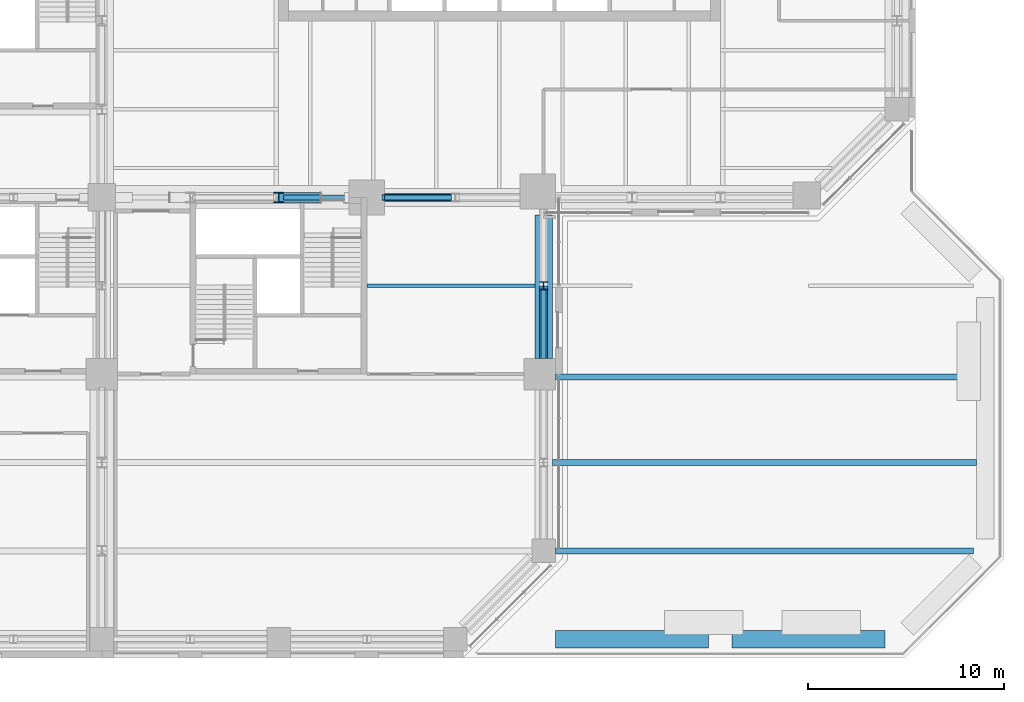
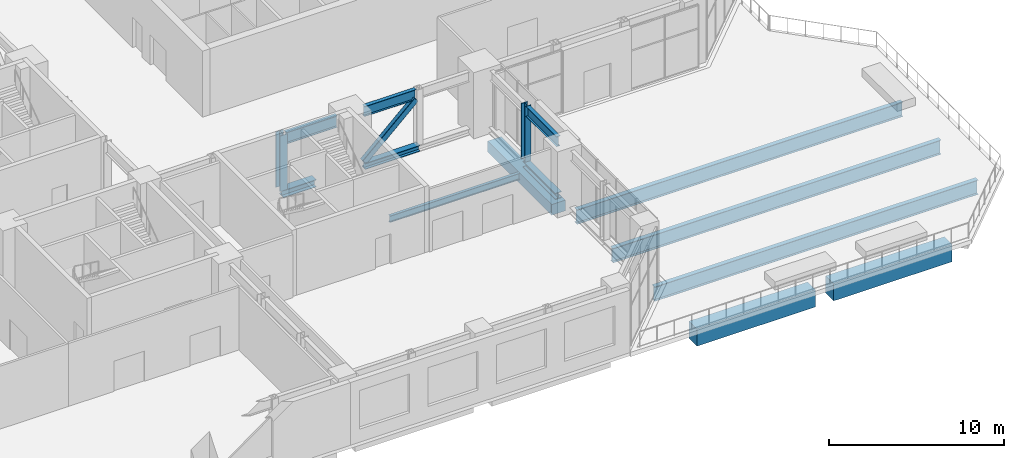
# One storey, part 5 of 21: 10 beams, 6 members.
"""IFC4 building model written with IfcOpenShell, lengths in metres."""

import ifcopenshell
import ifcopenshell.guid

model = None  # the IFC model being written
_history = None  # IfcOwnerHistory: only IFC2X3 demands one
_inside = {}  # id of a spatial element -> (the spatial element, [elements in it])
_under = {}  # id of a project, library or spatial element -> (it, [spatial elements below it])
_declared = {}  # id of a project -> (the project, [libraries it declares])
_typed = {}  # id of a type object -> (the type object, [elements of that type])
_made_of = {}  # id of a material, layer set ... -> (it, [elements and type objects made of it])


def new_model(schema):
    """Start an empty IFC model of exactly this schema.

    Asked for "IFC4X3", IfcOpenShell would pick the latest addendum, in which some entities
    have other attributes; the version numbers below select the first issue.
    IFC2X3 requires an IfcOwnerHistory on every rooted entity: one is made here for all.
    """
    global model, _history
    if schema == "IFC4X3":
        model = ifcopenshell.file(schema_version=(4, 3, 0, 0))
    else:
        model = ifcopenshell.file(schema=schema)
    _inside.clear()
    _under.clear()
    _declared.clear()
    _typed.clear()
    _made_of.clear()
    _history = None
    if model.schema == "IFC2X3":
        org = make("IfcOrganization", Name="unknown")
        user = make(
            "IfcPersonAndOrganization",
            ThePerson=make("IfcPerson", FamilyName="unknown"),
            TheOrganization=org,
        )
        app = make(
            "IfcApplication",
            ApplicationDeveloper=org,
            Version="unknown",
            ApplicationFullName="unknown",
            ApplicationIdentifier="unknown",
        )
        _history = make(
            "IfcOwnerHistory",
            OwningUser=user,
            OwningApplication=app,
            ChangeAction="ADDED",
            CreationDate=0,
        )
    return model


def make(cls, **values):
    """One entity of the class cls with the attributes given. An attribute that is None is left unset."""
    return model.create_entity(
        cls, **{name: value for name, value in values.items() if value is not None}
    )


def rooted(cls, **values):
    """An entity with a GlobalId (a new one), such as an element, a storey or a relation."""
    return make(cls, GlobalId=ifcopenshell.guid.new(), OwnerHistory=_history, **values)


def si_unit(unit_type, name, prefix=None):
    """IfcSIUnit, for example si_unit("LENGTHUNIT", "METRE", prefix="MILLI")."""
    return make("IfcSIUnit", UnitType=unit_type, Prefix=prefix, Name=name)


def assignment(units):
    """IfcUnitAssignment: the units of a project."""
    return None if units is None else make("IfcUnitAssignment", Units=units)


def point(xyz):
    """IfcCartesianPoint."""
    return None if xyz is None else make("IfcCartesianPoint", Coordinates=xyz)


def direction(xyz):
    """IfcDirection."""
    return None if xyz is None else make("IfcDirection", DirectionRatios=xyz)


def frame(location, z_axis=None, x_axis=None):
    """IfcAxis2Placement3D, a coordinate frame: its origin and axes. An axis left out is left unset."""
    return make(
        "IfcAxis2Placement3D",
        Location=point(location),
        Axis=direction(z_axis),
        RefDirection=direction(x_axis),
    )


def frame_2d(location, x_axis=None):
    """IfcAxis2Placement2D, a coordinate frame in the plane: its origin and x axis."""
    return make(
        "IfcAxis2Placement2D", Location=point(location), RefDirection=direction(x_axis)
    )


def origin():
    """The frame at (0, 0, 0) with its axes left unset."""
    return frame((0.0, 0.0, 0.0))


def origin_2d():
    """The frame at (0, 0) in the plane with its x axis left unset."""
    return frame_2d((0.0, 0.0))


def place(relative_to, where):
    """IfcLocalPlacement: puts the frame where relative to a parent placement (None: the world)."""
    return make(
        "IfcLocalPlacement", PlacementRelTo=relative_to, RelativePlacement=where
    )


def context(
    kind, dimensions, precision=None, world=None, true_north=None, identifier=None
):
    """IfcGeometricRepresentationContext, for example the 3D "Model" context."""
    return make(
        "IfcGeometricRepresentationContext",
        ContextIdentifier=identifier,
        ContextType=kind,
        CoordinateSpaceDimension=dimensions,
        Precision=precision,
        WorldCoordinateSystem=world,
        TrueNorth=true_north,
    )


def subcontext(parent, identifier, kind, view, scale=None):
    """IfcGeometricRepresentationSubContext, for example "Body" below "Model"."""
    return make(
        "IfcGeometricRepresentationSubContext",
        ContextIdentifier=identifier,
        ContextType=kind,
        ParentContext=parent,
        TargetScale=scale,
        TargetView=view,
    )


def project(units=None, contexts=None):
    """IfcProject with its units and contexts."""
    return rooted(
        "IfcProject",
        Name="project",
        RepresentationContexts=contexts,
        UnitsInContext=assignment(units),
    )


def spatial(cls, under=None, at=None, **own):
    """A site, building, storey or space (cls), placed at a placement, below another one or the project."""
    s = rooted(cls, ObjectPlacement=at, **own)
    if under is not None:
        _under.setdefault(under.id(), (under, []))[1].append(s)
    return s


def profile(cls, at=None, kind="AREA", **sizes):
    """A parametric profile (cls). Its sizes go by their IFC names, for example OverallWidth=200.0."""
    return make(cls, ProfileType=kind, Position=at, **sizes)


def rectangle(**sizes):
    """IfcRectangleProfileDef."""
    return profile("IfcRectangleProfileDef", **sizes)


def hollow_rectangle(**sizes):
    """IfcRectangleHollowProfileDef."""
    return profile("IfcRectangleHollowProfileDef", **sizes)


def i_section(**sizes):
    """IfcIShapeProfileDef."""
    return profile("IfcIShapeProfileDef", **sizes)


def extrude(swept, where, along, depth):
    """IfcExtrudedAreaSolid: the profile swept, set in the frame where, extruded along a direction by depth."""
    return make(
        "IfcExtrudedAreaSolid",
        SweptArea=swept,
        Position=where,
        ExtrudedDirection=direction(along),
        Depth=depth,
    )


def shape(context_of_items, identifier, shape_type, items):
    """IfcShapeRepresentation: the items that make up one representation, for example the "Body"."""
    return make(
        "IfcShapeRepresentation",
        ContextOfItems=context_of_items,
        RepresentationIdentifier=identifier,
        RepresentationType=shape_type,
        Items=items,
    )


def material(Name=None, Category=None):
    """IfcMaterial."""
    return make("IfcMaterial", Name=Name, Category=Category)


def material_profile(
    of_material, cross_section, Name=None, Category=None, Priority=None
):
    """IfcMaterialProfile: a cross section and its material."""
    return make(
        "IfcMaterialProfile",
        Name=Name,
        Material=of_material,
        Profile=cross_section,
        Priority=Priority,
        Category=Category,
    )


def profile_set(profiles, Name=None, composite=None):
    """IfcMaterialProfileSet."""
    return make(
        "IfcMaterialProfileSet",
        Name=Name,
        MaterialProfiles=profiles,
        CompositeProfile=composite,
    )


def made_of(thing, what):
    """Note that an element or type object is made of a material, layer set ...; save() writes the relation."""
    if what is not None:
        _made_of.setdefault(what.id(), (what, []))[1].append(thing)
    return thing


def type_object(cls, material=None, **own):
    """A type object (cls), such as IfcWallType, which elements share."""
    return made_of(rooted(cls, **own), material)


def element(
    cls,
    number,
    at=None,
    inside=None,
    cuts=None,
    type_object=None,
    material=None,
    context=None,
    identifier="Body",
    shape_type=None,
    held_by="IfcProductDefinitionShape",
    body=None,
    shapes=None,
    **own,
):
    """One element of the class cls, such as IfcWall. Its Tag is "e" and its number.

    at: its placement. inside: the storey or other place that contains it. cuts: it is an
    opening in that element (IfcRelVoidsElement). A single representation is given by context,
    identifier, shape_type and body (its items); several are given by shapes. held_by: the class
    of the entity that holds the representations. save() writes the other relations.
    """
    e = rooted(cls, Tag="e%d" % number, ObjectPlacement=at, **own)
    if body is not None:
        shapes = [shape(context, identifier, shape_type, body)]
    if shapes is not None:
        e.Representation = make(held_by, Representations=shapes)
    if inside is not None:
        _inside.setdefault(inside.id(), (inside, []))[1].append(e)
    if cuts is not None:
        rooted(
            "IfcRelVoidsElement", RelatingBuildingElement=cuts, RelatedOpeningElement=e
        )
    if type_object is not None:
        _typed.setdefault(type_object.id(), (type_object, []))[1].append(e)
    return made_of(e, material)


def aggregate(whole, parts):
    """IfcRelAggregates: a whole, such as a stair, and the parts it consists of."""
    return rooted("IfcRelAggregates", RelatingObject=whole, RelatedObjects=parts)


def save(model, path):
    """Write the relations noted so far, then the file.

    IfcRelAggregates (storeys below a building ...), IfcRelContainedInSpatialStructure (elements
    in a storey), IfcRelDefinesByType, IfcRelAssociatesMaterial and IfcRelDeclares: one each for
    every whole, place, type object, material and project.
    """
    for whole, parts in _under.values():
        aggregate(whole, parts)
    for where, things in _inside.values():
        rooted(
            "IfcRelContainedInSpatialStructure",
            RelatedElements=things,
            RelatingStructure=where,
        )
    for kind, things in _typed.values():
        rooted("IfcRelDefinesByType", RelatedObjects=things, RelatingType=kind)
    for what, things in _made_of.values():
        rooted("IfcRelAssociatesMaterial", RelatedObjects=things, RelatingMaterial=what)
    for by, libraries in _declared.values():
        rooted("IfcRelDeclares", RelatingContext=by, RelatedDefinitions=libraries)
    model.write(path)


model = new_model("IFC4")

# Units and contexts
model_context = context("Model", 3, precision=1e-05, world=origin(), true_north=direction((0.0, 1.0)))
body_context = subcontext(model_context, "Body", "Model", "MODEL_VIEW")
ifc_project = project(units=[si_unit("LENGTHUNIT", "METRE"), si_unit("AREAUNIT", "SQUARE_METRE"), si_unit("VOLUMEUNIT", "CUBIC_METRE"), si_unit("PLANEANGLEUNIT", "RADIAN"), si_unit("MASSUNIT", "GRAM", prefix="KILO")], contexts=[model_context])

# Site, building, storey
site_placement = place(None, origin())
site = spatial("IfcSite", under=ifc_project, at=site_placement, CompositionType="ELEMENT")
building_placement = place(site_placement, origin())
building = spatial("IfcBuilding", under=site, at=building_placement, Name="Quoin Convention Tower", CompositionType="ELEMENT")
storey_placement = place(building_placement, frame((0.0, 0.0, 18.5)))
storey = spatial("IfcBuildingStorey", under=building, at=storey_placement, Name="L03", CompositionType="ELEMENT", Elevation=18.5)

# Beams
ifc_material_1 = material(Name="Steel Grade 300", Category="steel")
ifc_material_profile_1 = material_profile(ifc_material_1, i_section(OverallWidth=0.300048828125, OverallDepth=1.0, WebThickness=0.01611328125, FlangeThickness=0.02001953125, at=origin_2d()), Name="1000WB215")
ifc_profile_set_1 = profile_set([ifc_material_profile_1], Name="Steel Grade 300")
beam_type_1 = type_object("IfcBeamType", Name="1000WB215", PredefinedType="BEAM", material=ifc_profile_set_1)
beam_1_placement = place(storey_placement, frame((59.10009765625, 22.5, -0.800048828125), z_axis=(1.0, 0.0, 0.0), x_axis=(0.0, 1.0, 0.0)))
element("IfcBeam", 1, at=beam_1_placement, inside=storey, type_object=beam_type_1, Name="gir-L03-RT5-1-0", PredefinedType="BEAM", context=body_context, shape_type="SweptSolid", body=[
    extrude(i_section(OverallWidth=0.300048828125, OverallDepth=1.0, WebThickness=0.01611328125, FlangeThickness=0.02001953125, at=origin_2d()), origin(), (0.0, 0.0, 1.0), 21.2998046875),
])
beam_2_placement = place(storey_placement, frame((58.949951171875, 27.0, -0.800048828125), z_axis=(1.0, 0.0, 0.0), x_axis=(0.0, 1.0, 0.0)))
element("IfcBeam", 2, at=beam_2_placement, inside=storey, type_object=beam_type_1, Name="gir-L03-RT5-2-0", PredefinedType="BEAM", context=body_context, shape_type="SweptSolid", body=[
    extrude(i_section(OverallWidth=0.300048828125, OverallDepth=1.0, WebThickness=0.01611328125, FlangeThickness=0.02001953125, at=origin_2d()), origin(), (0.0, 0.0, 1.0), 21.60009765625),
])
beam_3_placement = place(storey_placement, frame((59.10009765625, 31.35009765625, -0.800048828125), z_axis=(1.0, 0.0, 0.0), x_axis=(0.0, 1.0, 0.0)))
element("IfcBeam", 3, at=beam_3_placement, inside=storey, type_object=beam_type_1, Name="gir-L03-RT5-3-0", PredefinedType="BEAM", context=body_context, shape_type="SweptSolid", body=[
    extrude(i_section(OverallWidth=0.300048828125, OverallDepth=1.0, WebThickness=0.01611328125, FlangeThickness=0.02001953125, at=origin_2d()), origin(), (0.0, 0.0, 1.0), 21.449951171875),
])

# Members
ifc_material_profile_2 = material_profile(ifc_material_1, i_section(OverallWidth=0.39990234375, OverallDepth=0.422119140625, WebThickness=0.028076171875, FlangeThickness=0.035888671875, at=origin_2d()), Name="400WC303")
ifc_profile_set_2 = profile_set([ifc_material_profile_2], Name="Steel Grade 300")
member_type_1 = type_object("IfcMemberType", Name="400WC303", PredefinedType="CHORD", material=ifc_profile_set_2)
member_1_placement = place(storey_placement, frame((58.5, 32.300048828125, 0.257080078125), z_axis=(0.0, 1.0, 0.0), x_axis=(-1.0, 0.0, 0.0)))
element("IfcMember", 4, at=member_1_placement, inside=storey, type_object=member_type_1, Name="Transfer girder L03 bottom chord 58500_31500-58500_36000", PredefinedType="CHORD", context=body_context, shape_type="SweptSolid", body=[
    extrude(i_section(OverallWidth=0.39990234375, OverallDepth=0.422119140625, WebThickness=0.028076171875, FlangeThickness=0.035888671875, at=origin_2d()), origin(), (0.0, 0.0, 1.0), 3.699951171875),
])
member_2_placement = place(storey_placement, frame((50.39990234375, 40.5, 0.257080078125), z_axis=(1.0, 0.0, 0.0), x_axis=(0.0, 1.0, 0.0)))
element("IfcMember", 5, at=member_2_placement, inside=storey, type_object=member_type_1, Name="Transfer truss L03 bottom chord 49500_40500-54000_40500", PredefinedType="CHORD", context=body_context, shape_type="SweptSolid", body=[
    extrude(i_section(OverallWidth=0.39990234375, OverallDepth=0.422119140625, WebThickness=0.028076171875, FlangeThickness=0.035888671875, at=origin_2d()), origin(), (0.0, 0.0, 1.0), 3.60009765625),
])
ifc_material_profile_3 = material_profile(ifc_material_1, i_section(OverallWidth=0.39990234375, OverallDepth=0.422119140625, WebThickness=0.028076171875, FlangeThickness=0.035888671875, at=origin_2d()), Name="400WC303")
ifc_profile_set_3 = profile_set([ifc_material_profile_3], Name="Steel Grade 300")
member_type_2 = type_object("IfcMemberType", Name="400WC303 transfer post", PredefinedType="POST", material=ifc_profile_set_3)
member_3_placement = place(storey_placement, frame((58.5, 36.0, 0.513916015625), z_axis=(0.0, 0.0, 1.0), x_axis=(1.0, 0.0, 0.0)))
element("IfcMember", 6, at=member_3_placement, inside=storey, type_object=member_type_2, Name="Transfer girder L03 post 58500_36000", PredefinedType="POST", context=body_context, shape_type="SweptSolid", body=[
    extrude(i_section(OverallWidth=0.39990234375, OverallDepth=0.422119140625, WebThickness=0.028076171875, FlangeThickness=0.035888671875, at=origin_2d()), origin(), (0.0, 0.0, 1.0), 3.865966796875),
])
ifc_material_2 = material(Name="Steel C450L0", Category="steel")
ifc_material_profile_4 = material_profile(ifc_material_2, hollow_rectangle(XDim=0.300048828125, YDim=0.39990234375, WallThickness=0.01611328125, InnerFilletRadius=0.02392578125, OuterFilletRadius=0.0400390625, at=origin_2d()), Name="400x300x16.0RHS")
ifc_profile_set_4 = profile_set([ifc_material_profile_4], Name="Steel C450L0")
member_type_3 = type_object("IfcMemberType", Name="400x300x16.0RHS", PredefinedType="BRACE", material=ifc_profile_set_4)
member_4_placement = place(storey_placement, frame((50.39990234375, 40.5, 0.513916015625), z_axis=(0.731855113482, 0.0, 0.681460265071), x_axis=(0.0, 1.0, 0.0)))
element("IfcMember", 7, at=member_4_placement, inside=storey, type_object=member_type_3, Name="Transfer truss L03 diagonal 49500_40500-54000_40500", PredefinedType="BRACE", context=body_context, shape_type="SweptSolid", body=[
    extrude(hollow_rectangle(XDim=0.300048828125, YDim=0.39990234375, WallThickness=0.01611328125, InnerFilletRadius=0.02392578125, OuterFilletRadius=0.0400390625, at=origin_2d()), origin(), (0.0, 0.0, 1.0), 4.64599609375),
])

# Beam
ifc_material_profile_5 = material_profile(ifc_material_1, i_section(OverallWidth=0.18994140625, OverallDepth=0.4541015625, WebThickness=0.008544921875, FlangeThickness=0.0126953125, FilletRadius=0.011474609375, at=origin_2d()), Name="460UB67.1")
ifc_profile_set_5 = profile_set([ifc_material_profile_5], Name="Steel Grade 300")
beam_type_2 = type_object("IfcBeamType", Name="460UB67.1", PredefinedType="BEAM", material=ifc_profile_set_5)
beam_4_placement = place(storey_placement, frame((49.5, 36.0, -0.447021484375), z_axis=(1.0, 0.0, 0.0), x_axis=(0.0, 1.0, 0.0)))
element("IfcBeam", 8, at=beam_4_placement, inside=storey, type_object=beam_type_2, Name="gir-L03-ST3-4-1", PredefinedType="BEAM", context=body_context, shape_type="SweptSolid", body=[
    extrude(i_section(OverallWidth=0.18994140625, OverallDepth=0.4541015625, WebThickness=0.008544921875, FlangeThickness=0.0126953125, FilletRadius=0.011474609375, at=origin_2d()), origin(), (0.0, 0.0, 1.0), 8.550048828125),
])

# Members
ifc_material_profile_6 = material_profile(ifc_material_1, i_section(OverallWidth=0.5, OverallDepth=0.513916015625, WebThickness=0.02490234375, FlangeThickness=0.031982421875, at=origin_2d()), Name="500WC340")
ifc_profile_set_6 = profile_set([ifc_material_profile_6], Name="Steel Grade 300")
member_type_4 = type_object("IfcMemberType", Name="500WC340", PredefinedType="CHORD", material=ifc_profile_set_6)
member_5_placement = place(storey_placement, frame((45.0, 40.5, 0.257080078125), z_axis=(1.0, 0.0, 0.0), x_axis=(0.0, 1.0, 0.0)))
element("IfcMember", 9, at=member_5_placement, inside=storey, type_object=member_type_4, Name="Transfer truss L03 bottom chord 45000_40500-49500_40500", PredefinedType="CHORD", context=body_context, shape_type="SweptSolid", body=[
    extrude(i_section(OverallWidth=0.5, OverallDepth=0.513916015625, WebThickness=0.02490234375, FlangeThickness=0.031982421875, at=origin_2d()), origin(), (0.0, 0.0, 1.0), 2.14990234375),
])
ifc_material_profile_7 = material_profile(ifc_material_1, i_section(OverallWidth=0.5, OverallDepth=0.513916015625, WebThickness=0.02490234375, FlangeThickness=0.031982421875, at=origin_2d()), Name="500WC340")
ifc_profile_set_7 = profile_set([ifc_material_profile_7], Name="Steel Grade 300")
member_type_5 = type_object("IfcMemberType", Name="500WC340 transfer post", PredefinedType="POST", material=ifc_profile_set_7)
member_6_placement = place(storey_placement, frame((45.0, 40.5, 0.513916015625), z_axis=(0.0, 0.0, 1.0), x_axis=(1.0, 0.0, 0.0)))
element("IfcMember", 10, at=member_6_placement, inside=storey, type_object=member_type_5, Name="Transfer truss L03 post 45000_40500", PredefinedType="POST", context=body_context, shape_type="SweptSolid", body=[
    extrude(i_section(OverallWidth=0.5, OverallDepth=0.513916015625, WebThickness=0.02490234375, FlangeThickness=0.031982421875, at=origin_2d()), origin(), (0.0, 0.0, 1.0), 3.865966796875),
])

# Beams
ifc_material_profile_8 = material_profile(ifc_material_1, i_section(OverallWidth=0.25, OverallDepth=0.699951171875, WebThickness=0.010009765625, FlangeThickness=0.02001953125, at=origin_2d()), Name="700WB130")
ifc_profile_set_8 = profile_set([ifc_material_profile_8], Name="Steel Grade 300")
beam_type_3 = type_object("IfcBeamType", Name="700WB130", PredefinedType="BEAM", material=ifc_profile_set_8)
beam_5_placement = place(storey_placement, frame((58.5, 32.300048828125, 4.030029296875), z_axis=(0.0, 1.0, 0.0), x_axis=(-1.0, 0.0, 0.0)))
element("IfcBeam", 11, at=beam_5_placement, inside=storey, type_object=beam_type_3, Name="Transfer girder L03 top chord 58500_31500-58500_36000", PredefinedType="BEAM", context=body_context, shape_type="SweptSolid", body=[
    extrude(i_section(OverallWidth=0.25, OverallDepth=0.699951171875, WebThickness=0.010009765625, FlangeThickness=0.02001953125, at=origin_2d()), origin(), (0.0, 0.0, 1.0), 3.5),
])
beam_6_placement = place(storey_placement, frame((50.39990234375, 40.5, 4.030029296875), z_axis=(1.0, 0.0, 0.0), x_axis=(0.0, 1.0, 0.0)))
element("IfcBeam", 12, at=beam_6_placement, inside=storey, type_object=beam_type_3, Name="Transfer truss L03 top chord 49500_40500-54000_40500", PredefinedType="BEAM", context=body_context, shape_type="SweptSolid", body=[
    extrude(i_section(OverallWidth=0.25, OverallDepth=0.699951171875, WebThickness=0.010009765625, FlangeThickness=0.02001953125, at=origin_2d()), origin(), (0.0, 0.0, 1.0), 3.400146484375),
])
ifc_material_profile_9 = material_profile(ifc_material_1, i_section(OverallWidth=0.27490234375, OverallDepth=0.800048828125, WebThickness=0.010009765625, FlangeThickness=0.02001953125, at=origin_2d()), Name="800WB146")
ifc_profile_set_9 = profile_set([ifc_material_profile_9], Name="Steel Grade 300")
beam_type_4 = type_object("IfcBeamType", Name="800WB146", PredefinedType="BEAM", material=ifc_profile_set_9)
beam_7_placement = place(storey_placement, frame((45.25, 40.5, 3.97998046875), z_axis=(1.0, 0.0, 0.0), x_axis=(0.0, 1.0, 0.0)))
element("IfcBeam", 13, at=beam_7_placement, inside=storey, type_object=beam_type_4, Name="Transfer truss L03 top chord 45000_40500-49500_40500", PredefinedType="BEAM", context=body_context, shape_type="SweptSolid", body=[
    extrude(i_section(OverallWidth=0.27490234375, OverallDepth=0.800048828125, WebThickness=0.010009765625, FlangeThickness=0.02001953125, at=origin_2d()), origin(), (0.0, 0.0, 1.0), 3.35009765625),
])
ifc_material_3 = material(Name="Concrete C100 (100 MPa)", Category="concrete")
ifc_material_profile_10 = material_profile(ifc_material_3, rectangle(XDim=0.89990234375, YDim=1.199951171875, at=origin_2d()), Name="RC 900x1200")
ifc_profile_set_10 = profile_set([ifc_material_profile_10], Name="Concrete C100 (100 MPa)")
beam_type_5 = type_object("IfcBeamType", Name="RC 900x1200 C100", PredefinedType="SPANDREL", material=ifc_profile_set_10)
for number, where, z_axis, x_axis, name in (
    (14, (59.10009765625, 18.0, -0.89990234375), (1.0, 0.0, 0.0), (0.0, 1.0, 0.0), "spd-L03-rf-58500_18000-67500_18000"),
    (15, (68.10009765625, 18.0, -0.89990234375), (1.0, 0.0, 0.0), (0.0, 1.0, 0.0), "spd-L03-rf-67500_18000-76500_18000"),
):
    element("IfcBeam", number, at=place(storey_placement, frame(where, z_axis=z_axis, x_axis=x_axis)), inside=storey, type_object=beam_type_5, Name=name, PredefinedType="SPANDREL", context=body_context, shape_type="SweptSolid", body=[
        extrude(rectangle(XDim=0.89990234375, YDim=1.199951171875, at=origin_2d()), origin(), (0.0, 0.0, 1.0), 7.7998046875),
    ])
ifc_material_4 = material(Name="Concrete C80", Category="concrete")
ifc_material_profile_11 = material_profile(ifc_material_4, rectangle(XDim=0.89990234375, YDim=0.75, at=origin_2d()), Name="RC 900x750")
ifc_profile_set_11 = profile_set([ifc_material_profile_11], Name="Concrete C80")
beam_type_6 = type_object("IfcBeamType", Name="RC 900x750 C80", PredefinedType="SPANDREL", material=ifc_profile_set_11)
beam_8_placement = place(storey_placement, frame((58.5, 32.300048828125, -0.594970703125), z_axis=(0.0, 1.0, 0.0), x_axis=(-1.0, 0.0, 0.0)))
element("IfcBeam", 16, at=beam_8_placement, inside=storey, type_object=beam_type_6, Name="spd-L03-58500_31500-58500_40500", PredefinedType="SPANDREL", context=body_context, shape_type="SweptSolid", body=[
    extrude(rectangle(XDim=0.89990234375, YDim=0.75, at=origin_2d()), origin(), (0.0, 0.0, 1.0), 7.300048828125),
])

save(model, "model.ifc")
